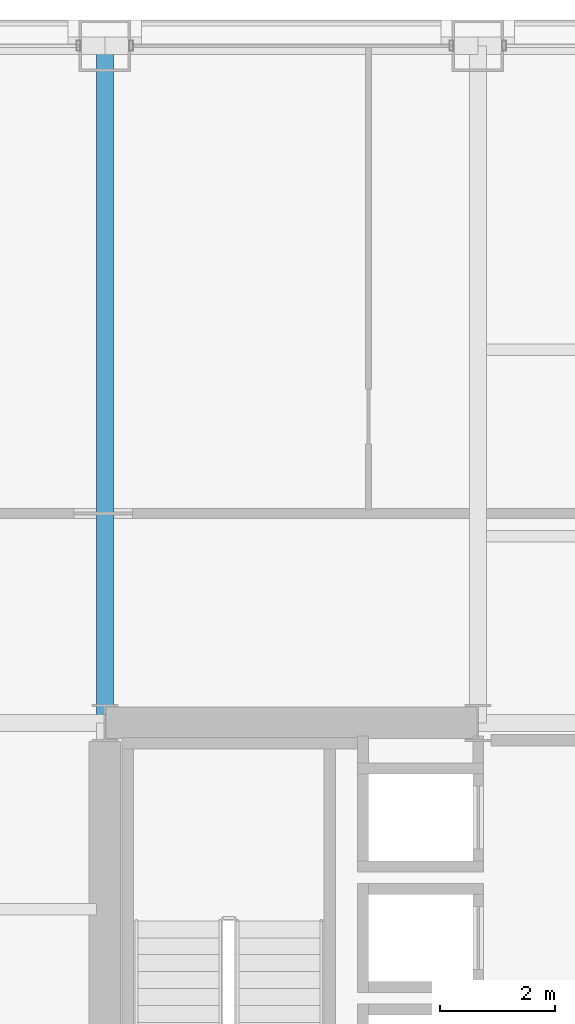
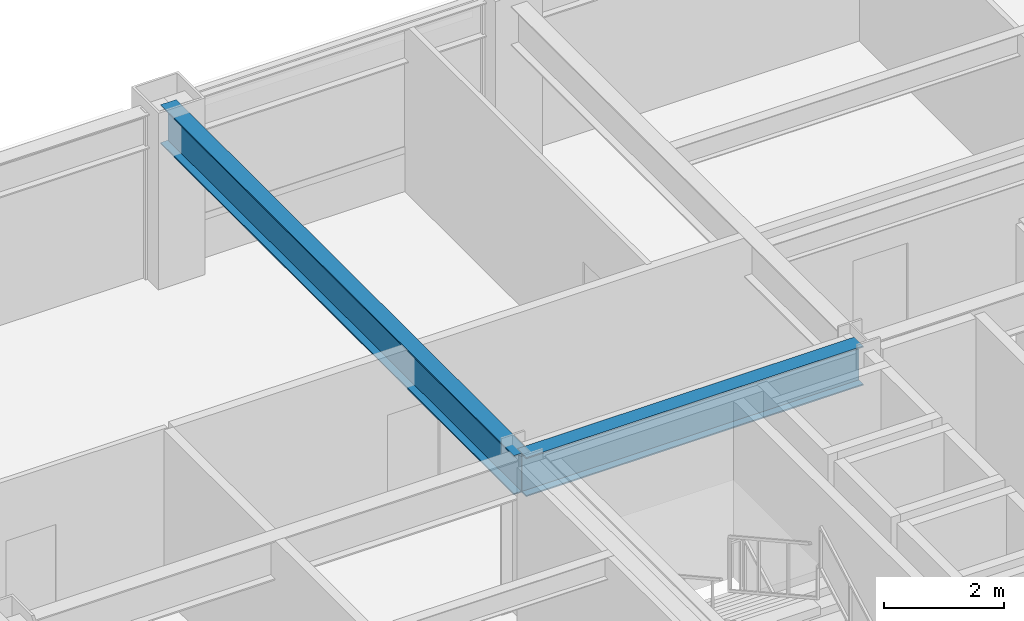
# One storey, part 14 of 28: 2 beams.
"""IFC4 building model written with IfcOpenShell, lengths in metres."""

from ifc_helpers import new_model, si_unit, direction, frame, origin, origin_2d, place, context, subcontext, project, spatial, i_section, extrude, material, material_profile, profile_set, type_object, element, save


model = new_model("IFC4")

# Units and contexts
model_context = context("Model", 3, precision=1e-05, world=origin(), true_north=direction((0.0, 1.0)))
body_context = subcontext(model_context, "Body", "Model", "MODEL_VIEW")
ifc_project = project(units=[si_unit("LENGTHUNIT", "METRE"), si_unit("AREAUNIT", "SQUARE_METRE"), si_unit("VOLUMEUNIT", "CUBIC_METRE"), si_unit("PLANEANGLEUNIT", "RADIAN"), si_unit("MASSUNIT", "GRAM", prefix="KILO")], contexts=[model_context])

# Site, building, storey
site_placement = place(None, origin())
site = spatial("IfcSite", under=ifc_project, at=site_placement, CompositionType="ELEMENT")
building_placement = place(site_placement, origin())
building = spatial("IfcBuilding", under=site, at=building_placement, Name="Brelmoor Portico Tower", CompositionType="ELEMENT")
storey_placement = place(building_placement, frame((0.0, 0.0, 70.800048828125)))
storey = spatial("IfcBuildingStorey", under=building, at=storey_placement, Name="L18", CompositionType="ELEMENT", Elevation=70.800048828125)

# Beams
ifc_material = material(Name="Steel Q355B", Category="steel")
ifc_material_profile = material_profile(ifc_material, i_section(OverallWidth=0.300048828125, OverallDepth=0.800048828125, WebThickness=0.013916015625, FlangeThickness=0.02587890625, at=origin_2d()), Name="HN 800x300x14x26")
ifc_profile_set = profile_set([ifc_material_profile], Name="Steel Q355B")
beam_type = type_object("IfcBeamType", Name="BM-PG-800", PredefinedType="BEAM", material=ifc_profile_set)
beam_1_placement = place(storey_placement, frame((-14.550048828125, 9.75, 3.0), z_axis=(0.0, 1.0, 0.0), x_axis=(-1.0, 0.0, 0.0)))
element("IfcBeam", 1, at=beam_1_placement, inside=storey, type_object=beam_type, Name="L18 Primary Floor Girder PG-06", PredefinedType="BEAM", context=body_context, shape_type="SweptSolid", body=[
    extrude(i_section(OverallWidth=0.300048828125, OverallDepth=0.800048828125, WebThickness=0.013916015625, FlangeThickness=0.02587890625, at=origin_2d()), origin(), (0.0, 0.0, 1.0), 11.800048828125),
])
beam_2_placement = place(storey_placement, frame((-14.550048828125, 9.75, 3.0), z_axis=(1.0, 0.0, 0.0), x_axis=(0.0, 1.0, 0.0)))
element("IfcBeam", 2, at=beam_2_placement, inside=storey, type_object=beam_type, Name="L18 Primary Floor Girder PG-28", PredefinedType="BEAM", context=body_context, shape_type="SweptSolid", body=[
    extrude(i_section(OverallWidth=0.300048828125, OverallDepth=0.800048828125, WebThickness=0.013916015625, FlangeThickness=0.02587890625, at=origin_2d()), origin(), (0.0, 0.0, 1.0), 6.5),
])

save(model, "model.ifc")
